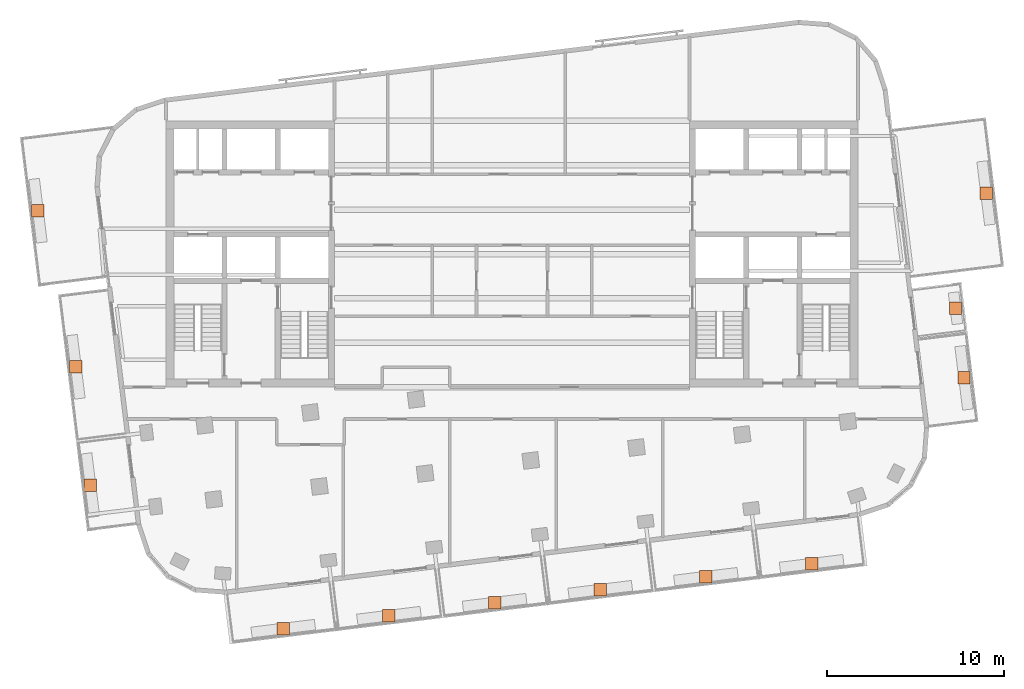
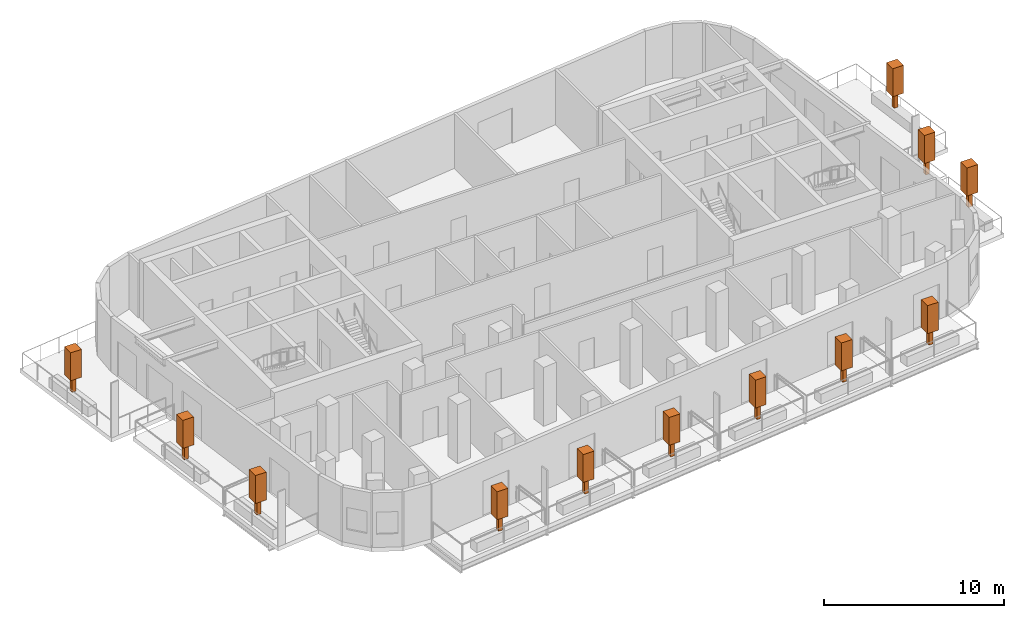
# One storey, part 10 of 10: 12 geographic elements.
"""IFC4 building model written with IfcOpenShell, lengths in metres."""

from ifc_helpers import new_model, si_unit, direction, frame, origin, origin_2d, place, context, subcontext, project, spatial, rectangle, extrude, material, element, save


model = new_model("IFC4")

# Units and contexts
model_context = context("Model", 3, precision=1e-05, world=origin(), true_north=direction((0.0, 1.0)))
body_context = subcontext(model_context, "Body", "Model", "MODEL_VIEW")
ifc_project = project(units=[si_unit("LENGTHUNIT", "METRE"), si_unit("AREAUNIT", "SQUARE_METRE"), si_unit("VOLUMEUNIT", "CUBIC_METRE"), si_unit("PLANEANGLEUNIT", "RADIAN"), si_unit("MASSUNIT", "GRAM", prefix="KILO")], contexts=[model_context])

# Site, building, storey
site_placement = place(None, origin())
site = spatial("IfcSite", under=ifc_project, at=site_placement, CompositionType="ELEMENT")
building_placement = place(site_placement, origin())
building = spatial("IfcBuilding", under=site, at=building_placement, Name="Torana Hotel and Residences", CompositionType="ELEMENT")
storey_placement = place(building_placement, frame((0.0, 0.0, 334.60009765625)))
storey = spatial("IfcBuildingStorey", under=building, at=storey_placement, Name="L88", CompositionType="ELEMENT", Elevation=334.60009765625)

# Geographic elements
ifc_material = material(Name="Foliage", Category="planting")
for number, where, z_axis, x_axis, name in (
    (1, (-12.8896484375, -28.605712890625, 0.64990234375), (0.0, 0.0, 1.0), (1.0, 0.0, 0.0), "Tree 01"),
    (2, (-6.934326171875, -27.87451171875, 0.64990234375), (0.0, 0.0, 1.0), (1.0, 0.0, 0.0), "Tree 02"),
    (3, (-0.97900390625, -27.143310546875, 0.64990234375), (0.0, 0.0, 1.0), (1.0, 0.0, 0.0), "Tree 03"),
    (4, (4.976318359375, -26.412109375, 0.64990234375), (0.0, 0.0, 1.0), (1.0, 0.0, 0.0), "Tree 04"),
    (5, (10.931396484375, -25.680908203125, 0.64990234375), (0.0, 0.0, 1.0), (1.0, 0.0, 0.0), "Tree 05"),
    (6, (16.88671875, -24.94970703125, 0.64990234375), (0.0, 0.0, 1.0), (1.0, 0.0, 0.0), "Tree 06"),
    (7, (-23.756103515625, -20.519775390625, 0.64990234375), (0.0, 0.0, 1.0), (1.0, 0.0, 0.0), "Tree 07"),
    (8, (-24.573974609375, -13.857421875, 0.64990234375), (0.0, 0.0, 1.0), (1.0, 0.0, 0.0), "Tree 08"),
    (9, (-26.71240234375, -5.058349609375, 0.64990234375), (0.0, 0.0, 1.0), (1.0, 0.0, 0.0), "Tree 09"),
    (10, (25.474365234375, -14.47509765625, 0.64990234375), (0.0, 0.0, 1.0), (1.0, 0.0, 0.0), "Tree 10"),
    (11, (24.992919921875, -10.5546875, 0.64990234375), (0.0, 0.0, 1.0), (1.0, 0.0, 0.0), "Tree 11"),
    (12, (26.71484375, -4.06494140625, 0.64990234375), (0.0, 0.0, 1.0), (1.0, 0.0, 0.0), "Tree 12"),
):
    element("IfcGeographicElement", number, at=place(storey_placement, frame(where, z_axis=z_axis, x_axis=x_axis)), inside=storey, material=ifc_material, Name=name, ObjectType="TREE", PredefinedType="USERDEFINED", context=body_context, shape_type="SweptSolid", body=[
        extrude(rectangle(XDim=0.25, YDim=0.25, at=origin_2d()), origin(), (0.0, 0.0, 1.0), 1.0),
        extrude(rectangle(XDim=0.699951171875, YDim=0.699951171875, at=origin_2d()), frame((0.0, 0.0, 1.0)), (0.0, 0.0, 1.0), 1.89990234375),
    ])

save(model, "model.ifc")
